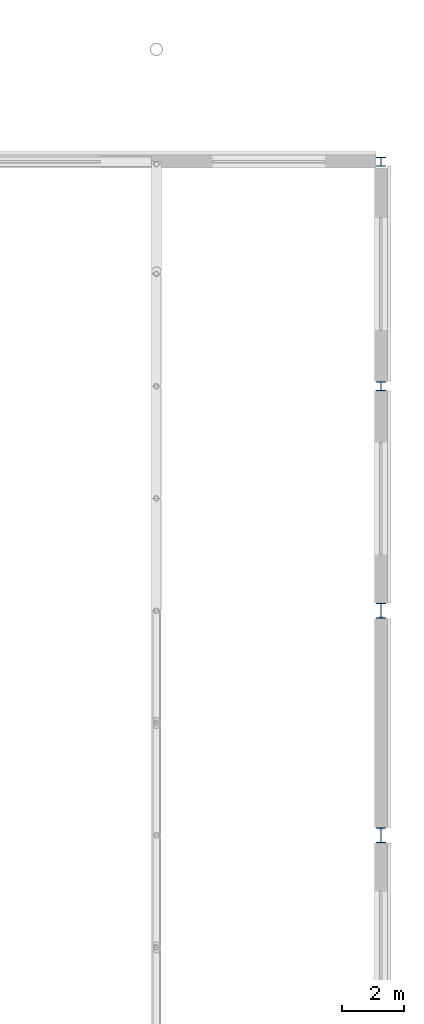
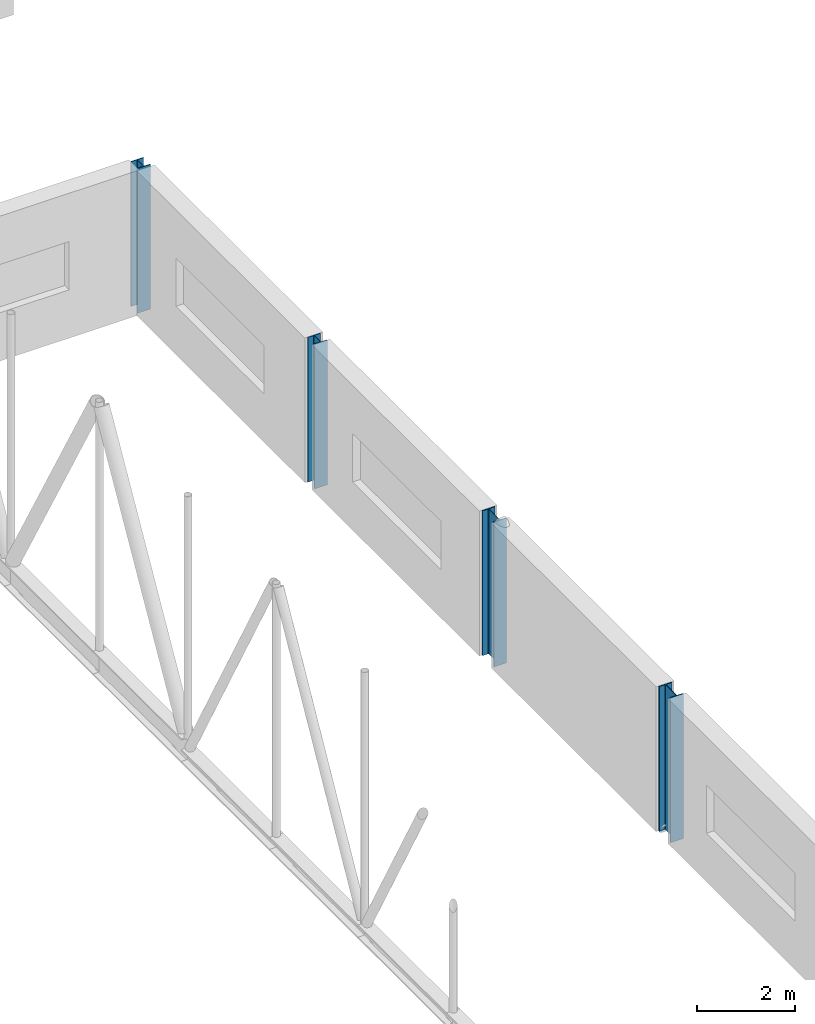
# One storey, part 21 of 142: 4 columns.
"""IFC4 building model written with IfcOpenShell, lengths in metres."""

from ifc_helpers import new_model, si_unit, direction, frame, origin, origin_2d, place, context, subcontext, project, spatial, i_section, extrude, material, material_profile, profile_set, type_object, element, save


model = new_model("IFC4")

# Units and contexts
model_context = context("Model", 3, precision=1e-05, world=origin(), true_north=direction((0.0, 1.0)))
body_context = subcontext(model_context, "Body", "Model", "MODEL_VIEW")
ifc_project = project(units=[si_unit("LENGTHUNIT", "METRE"), si_unit("AREAUNIT", "SQUARE_METRE"), si_unit("VOLUMEUNIT", "CUBIC_METRE"), si_unit("PLANEANGLEUNIT", "RADIAN"), si_unit("MASSUNIT", "GRAM", prefix="KILO")], contexts=[model_context])

# Site, building, storey
site_placement = place(None, origin())
site = spatial("IfcSite", under=ifc_project, at=site_placement, CompositionType="ELEMENT")
building_placement = place(site_placement, origin())
building = spatial("IfcBuilding", under=site, at=building_placement, Name="Kupolbacken Congress Centre", CompositionType="ELEMENT")
storey_placement = place(building_placement, frame((0.0, 0.0, 14.39990234375)))
storey = spatial("IfcBuildingStorey", under=building, at=storey_placement, Name="L04", CompositionType="ELEMENT", Elevation=14.39990234375)

# Columns
ifc_material_1 = material(Name="Steel S355", Category="steel")
ifc_material_profile_1 = material_profile(ifc_material_1, i_section(OverallWidth=0.300048828125, OverallDepth=0.2900390625, WebThickness=0.008544921875, FlangeThickness=0.013916015625, FilletRadius=0.027099609375, at=origin_2d()), Name="HEA 300")
ifc_profile_set_1 = profile_set([ifc_material_profile_1], Name="Steel S355")
column_type_1 = type_object("IfcColumnType", Name="C09 column HEA 300", PredefinedType="COLUMN", material=ifc_profile_set_1)
for number, where, z_axis, x_axis, name in (
    (1, (201.60009765625, 108.0, 0.0), (0.0, 0.0, 1.0), (1.0, 0.0, 0.0), "S/col/C-H-PE10/L04"),
    (2, (201.60009765625, 115.199951171875, 0.0), (0.0, 0.0, 1.0), (1.0, 0.0, 0.0), "S/col/C-H-PE11/L04"),
):
    element("IfcColumn", number, at=place(storey_placement, frame(where, z_axis=z_axis, x_axis=x_axis)), inside=storey, type_object=column_type_1, Name=name, PredefinedType="COLUMN", context=body_context, shape_type="SweptSolid", body=[
        extrude(i_section(OverallWidth=0.300048828125, OverallDepth=0.2900390625, WebThickness=0.008544921875, FlangeThickness=0.013916015625, FilletRadius=0.027099609375, at=origin_2d()), origin(), (0.0, 0.0, 1.0), 3.60009765625),
    ])
ifc_material_2 = material(Name="Steel S355", Category="steel")
ifc_material_profile_2 = material_profile(ifc_material_2, i_section(OverallWidth=0.300048828125, OverallDepth=0.489990234375, WebThickness=0.011962890625, FlangeThickness=0.02294921875, FilletRadius=0.027099609375, at=origin_2d()), Name="HEA 500")
ifc_profile_set_2 = profile_set([ifc_material_profile_2], Name="Steel S355")
column_type_2 = type_object("IfcColumnType", Name="C14 column HEA 500", PredefinedType="COLUMN", material=ifc_profile_set_2)
for number, where, z_axis, x_axis, name in (
    (3, (201.60009765625, 93.60009765625, 0.0), (0.0, 0.0, 1.0), (1.0, 0.0, 0.0), "S/col/C-H-PE08/L04"),
    (4, (201.60009765625, 100.800048828125, 0.0), (0.0, 0.0, 1.0), (1.0, 0.0, 0.0), "S/col/C-H-PE09/L04"),
):
    element("IfcColumn", number, at=place(storey_placement, frame(where, z_axis=z_axis, x_axis=x_axis)), inside=storey, type_object=column_type_2, Name=name, PredefinedType="COLUMN", context=body_context, shape_type="SweptSolid", body=[
        extrude(i_section(OverallWidth=0.300048828125, OverallDepth=0.489990234375, WebThickness=0.011962890625, FlangeThickness=0.02294921875, FilletRadius=0.027099609375, at=origin_2d()), origin(), (0.0, 0.0, 1.0), 3.60009765625),
    ])

save(model, "model.ifc")
